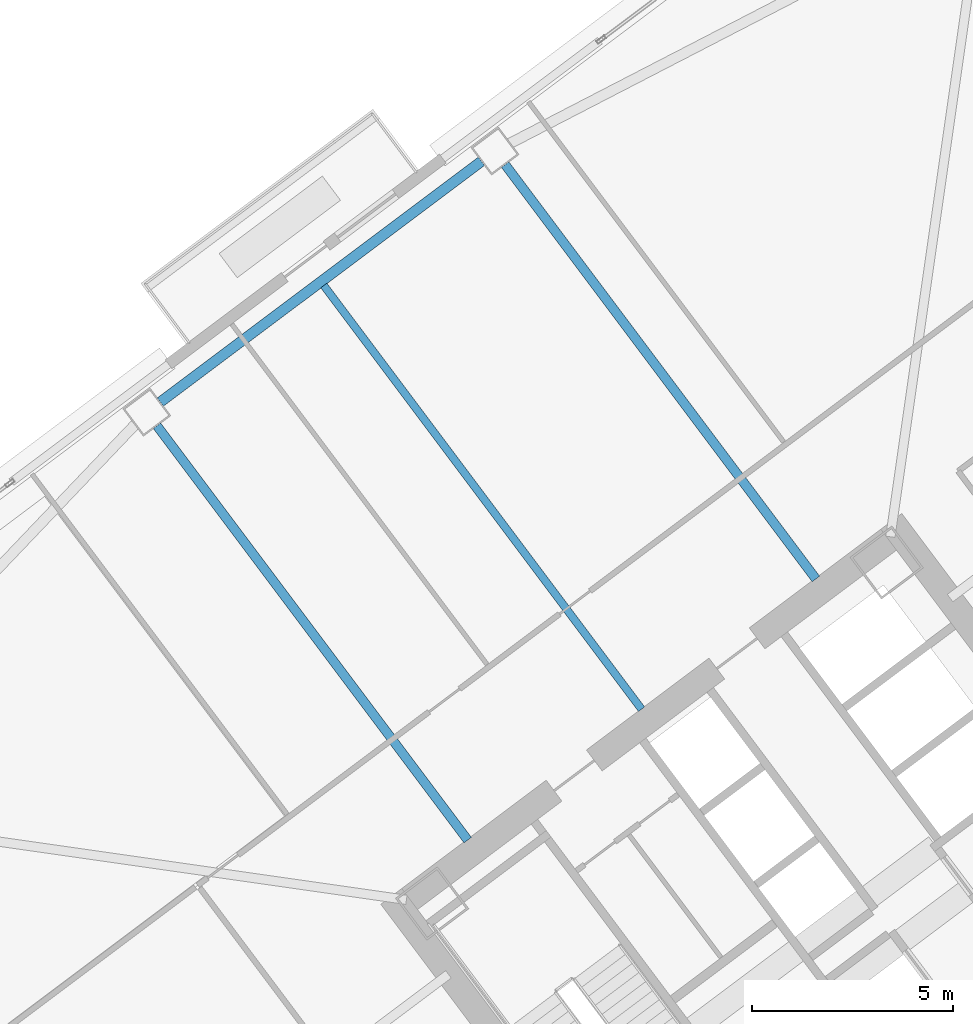
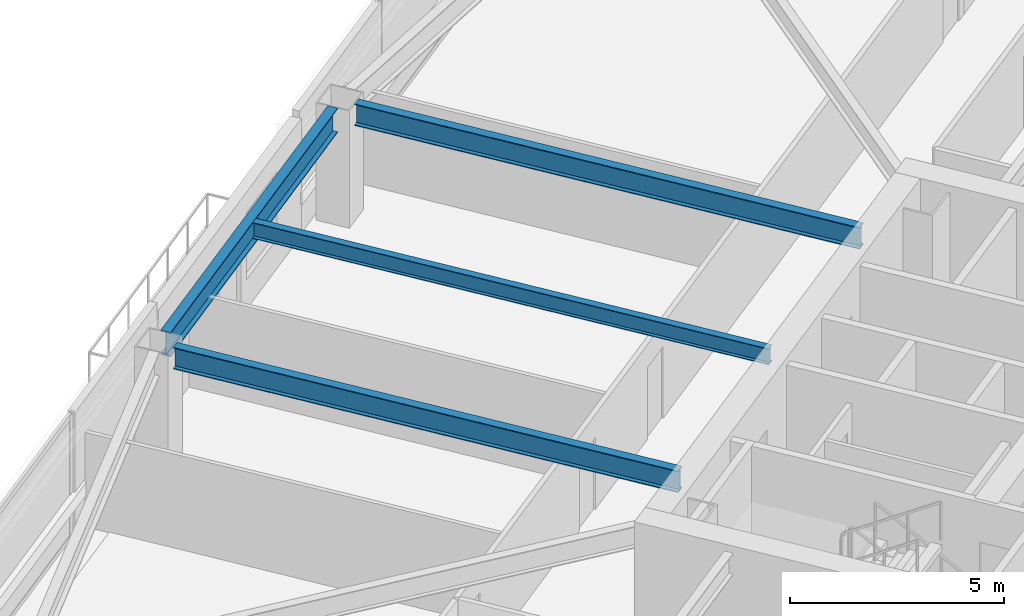
# One storey, part 27 of 46: 4 beams.
"""IFC4 building model written with IfcOpenShell, lengths in metres."""

from ifc_helpers import new_model, si_unit, direction, frame, origin, origin_2d, place, context, subcontext, project, spatial, i_section, extrude, material, material_profile, profile_set, type_object, element, save


model = new_model("IFC4")

# Units and contexts
model_context = context("Model", 3, precision=1e-05, world=origin(), true_north=direction((0.0, 1.0)))
body_context = subcontext(model_context, "Body", "Model", "MODEL_VIEW")
ifc_project = project(units=[si_unit("LENGTHUNIT", "METRE"), si_unit("AREAUNIT", "SQUARE_METRE"), si_unit("VOLUMEUNIT", "CUBIC_METRE"), si_unit("PLANEANGLEUNIT", "RADIAN"), si_unit("MASSUNIT", "GRAM", prefix="KILO")], contexts=[model_context])

# Site, building, storey
site_placement = place(None, origin())
site = spatial("IfcSite", under=ifc_project, at=site_placement, CompositionType="ELEMENT")
building_placement = place(site_placement, origin())
building = spatial("IfcBuilding", under=site, at=building_placement, Name="Tashvorn Skyway Center", CompositionType="ELEMENT")
storey_placement = place(building_placement, frame((0.0, 0.0, 38.800048828125)))
storey = spatial("IfcBuildingStorey", under=building, at=storey_placement, Name="L09", CompositionType="ELEMENT", Elevation=38.800048828125)

# Beams
ifc_material = material(Name="Steel ASTM A992 Grade 50", Category="steel")
ifc_material_profile_1 = material_profile(ifc_material, i_section(OverallWidth=0.22998046875, OverallDepth=0.616943359375, WebThickness=0.01318359375, FlangeThickness=0.022216796875, at=origin_2d()), Name="W24X94")
ifc_profile_set_1 = profile_set([ifc_material_profile_1], Name="Steel ASTM A992 Grade 50")
beam_type_1 = type_object("IfcBeamType", Name="BM-BEAM-W24X94", PredefinedType="BEAM", material=ifc_profile_set_1)
beam_1_placement = place(storey_placement, frame((105.94189453125, 51.743896484375, 3.04150390625), z_axis=(0.600018239213, -0.799986320265, 0.0), x_axis=(0.799986320265, 0.600018239213, 0.0)))
element("IfcBeam", 1, at=beam_1_placement, inside=storey, type_object=beam_type_1, Name="Tower 2 L09 Primary Floor Girder FC-N1", PredefinedType="BEAM", context=body_context, shape_type="SweptSolid", body=[
    extrude(i_section(OverallWidth=0.22998046875, OverallDepth=0.616943359375, WebThickness=0.01318359375, FlangeThickness=0.022216796875, at=origin_2d()), origin(), (0.0, 0.0, 1.0), 12.849853515625),
])
beam_2_placement = place(storey_placement, frame((97.302001953125, 45.263916015625, 3.04150390625), z_axis=(0.599996960112, -0.800002279907, 0.0), x_axis=(0.800002279907, 0.599996960112, 0.0)))
element("IfcBeam", 2, at=beam_2_placement, inside=storey, type_object=beam_type_1, Name="Tower 2 L09 Primary Floor Girder FC-N2", PredefinedType="BEAM", context=body_context, shape_type="SweptSolid", body=[
    extrude(i_section(OverallWidth=0.22998046875, OverallDepth=0.616943359375, WebThickness=0.01318359375, FlangeThickness=0.022216796875, at=origin_2d()), origin(), (0.0, 0.0, 1.0), 12.85009765625),
])
ifc_material_profile_2 = material_profile(ifc_material, i_section(OverallWidth=0.19091796875, OverallDepth=0.4599609375, WebThickness=0.010009765625, FlangeThickness=0.01611328125, at=origin_2d()), Name="W18X55")
ifc_profile_set_2 = profile_set([ifc_material_profile_2], Name="Steel ASTM A992 Grade 50")
beam_type_2 = type_object("IfcBeamType", Name="BM-JOIST-W18X55", PredefinedType="JOIST", material=ifc_profile_set_2)
beam_3_placement = place(storey_placement, frame((109.325927734375, 38.23193359375, 3.119873046875), z_axis=(-0.600002972791, 0.799997770398, 0.0), x_axis=(-0.799997770398, -0.600002972791, 0.0)))
element("IfcBeam", 3, at=beam_3_placement, inside=storey, type_object=beam_type_2, Name="Tower 2 L09 Secondary Composite Joist JN", PredefinedType="JOIST", context=body_context, shape_type="SweptSolid", body=[
    extrude(i_section(OverallWidth=0.19091796875, OverallDepth=0.4599609375, WebThickness=0.010009765625, FlangeThickness=0.01611328125, at=origin_2d()), origin(), (0.0, 0.0, 1.0), 13.139892578125),
])
ifc_material_profile_3 = material_profile(ifc_material, i_section(OverallWidth=0.256103515625, OverallDepth=0.693115234375, WebThickness=0.014404296875, FlangeThickness=0.023681640625, at=origin_2d()), Name="W27X114")
ifc_profile_set_3 = profile_set([ifc_material_profile_3], Name="Steel ASTM A992 Grade 50")
beam_type_3 = type_object("IfcBeamType", Name="BM-SPANDREL-W27X114", PredefinedType="SPANDREL", material=ifc_profile_set_3)
beam_4_placement = place(storey_placement, frame((105.35400390625, 51.827880859375, 3.00341796875), z_axis=(-0.800008824351, -0.599988234018, 0.0), x_axis=(0.599988234018, -0.800008824351, 0.0)))
element("IfcBeam", 4, at=beam_4_placement, inside=storey, type_object=beam_type_3, Name="Tower 2 L09 Spandrel Beam 08", PredefinedType="SPANDREL", context=body_context, shape_type="SweptSolid", body=[
    extrude(i_section(OverallWidth=0.256103515625, OverallDepth=0.693115234375, WebThickness=0.014404296875, FlangeThickness=0.023681640625, at=origin_2d()), origin(), (0.0, 0.0, 1.0), 9.9599609375),
])

save(model, "model.ifc")
